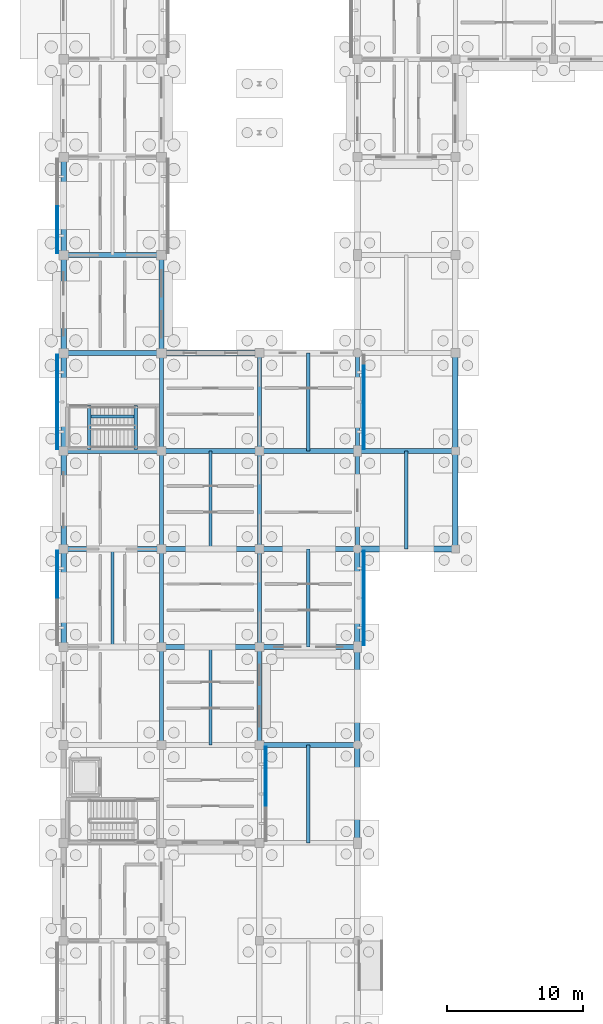
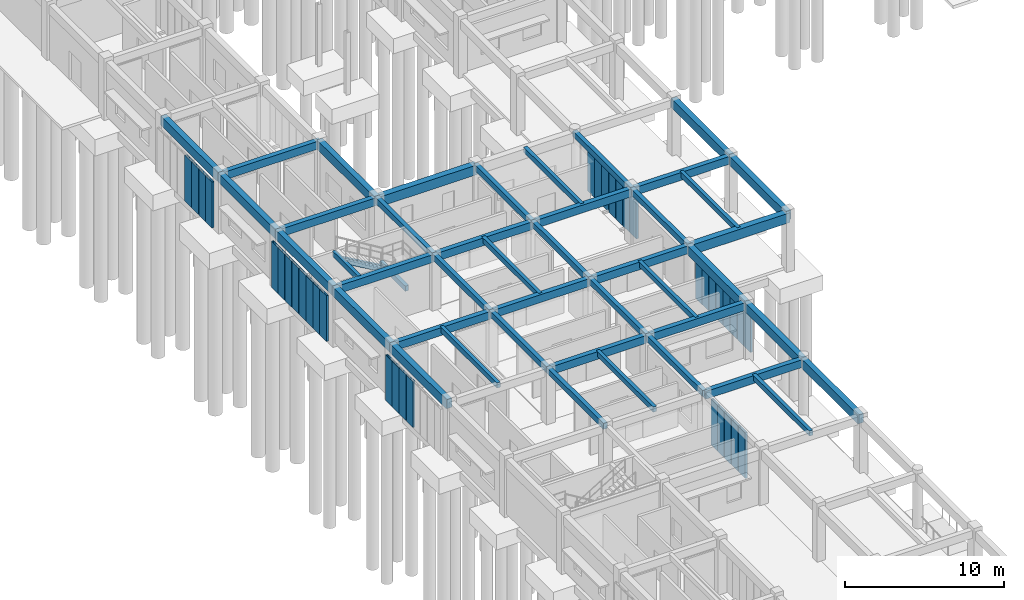
# One storey, part 14 of 111: 45 beams, 36 members, 6 elements without a shape of their own.
"""IFC4 building model written with IfcOpenShell, lengths in metres."""

from ifc_helpers import new_model, si_unit, direction, frame, origin, origin_2d, place, context, subcontext, project, spatial, rectangle, hollow_rectangle, extrude, material, material_profile, profile_set, type_object, element, aggregate, save


model = new_model("IFC4")

# Units and contexts
model_context = context("Model", 3, precision=1e-05, world=origin(), true_north=direction((0.0, 1.0)))
body_context = subcontext(model_context, "Body", "Model", "MODEL_VIEW")
ifc_project = project(units=[si_unit("LENGTHUNIT", "METRE"), si_unit("AREAUNIT", "SQUARE_METRE"), si_unit("VOLUMEUNIT", "CUBIC_METRE"), si_unit("PLANEANGLEUNIT", "RADIAN"), si_unit("MASSUNIT", "GRAM", prefix="KILO")], contexts=[model_context])

# Site, building, storey
site_placement = place(None, origin())
site = spatial("IfcSite", under=ifc_project, at=site_placement, CompositionType="ELEMENT")
building_placement = place(site_placement, origin())
building = spatial("IfcBuilding", under=site, at=building_placement, Name="Aldebral Square Health Centre", CompositionType="ELEMENT")
storey_placement = place(building_placement, origin())
storey = spatial("IfcBuildingStorey", under=building, at=storey_placement, Name="L00", CompositionType="ELEMENT", Elevation=0.0)

# Beams
ifc_material_1 = material(Name="Concrete C40/50", Category="concrete")
ifc_material_profile_1 = material_profile(ifc_material_1, rectangle(XDim=0.35009765625, YDim=0.60009765625, at=origin_2d()), Name="RC 350x600")
ifc_profile_set_1 = profile_set([ifc_material_profile_1], Name="Concrete C40/50")
beam_type_1 = type_object("IfcBeamType", Name="BM-B2", PredefinedType="BEAM", material=ifc_profile_set_1)
for number, where, z_axis, x_axis, name in (
    (1, (0.0, 50.39990234375, 3.919921875), (1.0, 0.0, 0.0), (0.0, 1.0, 0.0), "L00 X-beam 1-2/G8"),
    (2, (0.0, 57.60009765625, 3.919921875), (1.0, 0.0, 0.0), (0.0, 1.0, 0.0), "L00 X-beam 1-2/G9"),
    (3, (0.0, 64.800048828125, 3.919921875), (1.0, 0.0, 0.0), (0.0, 1.0, 0.0), "L00 X-beam 1-2/G10"),
    (4, (0.0, 72.0, 3.919921875), (1.0, 0.0, 0.0), (0.0, 1.0, 0.0), "L00 X-beam 1-2/G11"),
    (5, (7.199951171875, 43.199951171875, 3.919921875), (1.0, 0.0, 0.0), (0.0, 1.0, 0.0), "L00 X-beam 2-3/G7"),
    (6, (7.199951171875, 50.39990234375, 3.919921875), (1.0, 0.0, 0.0), (0.0, 1.0, 0.0), "L00 X-beam 2-3/G8"),
    (7, (7.199951171875, 57.60009765625, 3.919921875), (1.0, 0.0, 0.0), (0.0, 1.0, 0.0), "L00 X-beam 2-3/G9"),
):
    element("IfcBeam", number, at=place(storey_placement, frame(where, z_axis=z_axis, x_axis=x_axis)), inside=storey, type_object=beam_type_1, Name=name, PredefinedType="BEAM", context=body_context, shape_type="SweptSolid", body=[
        extrude(rectangle(XDim=0.35009765625, YDim=0.60009765625, at=origin_2d()), origin(), (0.0, 0.0, 1.0), 7.199951171875),
    ])
for number, where, z_axis, x_axis, name in (
    (8, (14.39990234375, 36.0, 3.919921875), (1.0, 0.0, 0.0), (0.0, 1.0, 0.0), "L00 X-beam 3-4/G6"),
    (9, (14.39990234375, 43.199951171875, 3.919921875), (1.0, 0.0, 0.0), (0.0, 1.0, 0.0), "L00 X-beam 3-4/G7"),
    (10, (14.39990234375, 50.39990234375, 3.919921875), (1.0, 0.0, 0.0), (0.0, 1.0, 0.0), "L00 X-beam 3-4/G8"),
    (11, (14.39990234375, 57.60009765625, 3.919921875), (1.0, 0.0, 0.0), (0.0, 1.0, 0.0), "L00 X-beam 3-4/G9"),
):
    element("IfcBeam", number, at=place(storey_placement, frame(where, z_axis=z_axis, x_axis=x_axis)), inside=storey, type_object=beam_type_1, Name=name, PredefinedType="BEAM", context=body_context, shape_type="SweptSolid", body=[
        extrude(rectangle(XDim=0.35009765625, YDim=0.60009765625, at=origin_2d()), origin(), (0.0, 0.0, 1.0), 7.2001953125),
    ])
beam_1_placement = place(storey_placement, frame((21.60009765625, 57.60009765625, 3.919921875), z_axis=(1.0, 0.0, 0.0), x_axis=(0.0, 1.0, 0.0)))
element("IfcBeam", 12, at=beam_1_placement, inside=storey, type_object=beam_type_1, Name="L00 X-beam 4-5/G9", PredefinedType="BEAM", context=body_context, shape_type="SweptSolid", body=[
    extrude(rectangle(XDim=0.35009765625, YDim=0.60009765625, at=origin_2d()), origin(), (0.0, 0.0, 1.0), 7.199951171875),
])
ifc_material_profile_2 = material_profile(ifc_material_1, rectangle(XDim=0.300048828125, YDim=0.449951171875, at=origin_2d()), Name="RC 300x450")
ifc_profile_set_2 = profile_set([ifc_material_profile_2], Name="Concrete C40/50")
beam_type_2 = type_object("IfcBeamType", Name="BM-B5", PredefinedType="BEAM", material=ifc_profile_set_2)
for number, where, z_axis, x_axis, name in (
    (13, (7.199951171875, 36.0, 3.9951171875), (0.0, 1.0, 0.0), (-1.0, 0.0, 0.0), "L00 Y-beam G2/6-7"),
    (14, (7.199951171875, 43.199951171875, 3.9951171875), (0.0, 1.0, 0.0), (-1.0, 0.0, 0.0), "L00 Y-beam G2/7-8"),
):
    element("IfcBeam", number, at=place(storey_placement, frame(where, z_axis=z_axis, x_axis=x_axis)), inside=storey, type_object=beam_type_2, Name=name, PredefinedType="BEAM", context=body_context, shape_type="SweptSolid", body=[
        extrude(rectangle(XDim=0.300048828125, YDim=0.449951171875, at=origin_2d()), origin(), (0.0, 0.0, 1.0), 7.199951171875),
    ])
beam_2_placement = place(storey_placement, frame((7.199951171875, 50.39990234375, 3.9951171875), z_axis=(0.0, 1.0, 0.0), x_axis=(-1.0, 0.0, 0.0)))
element("IfcBeam", 15, at=beam_2_placement, inside=storey, type_object=beam_type_2, Name="L00 Y-beam G2/8-9", PredefinedType="BEAM", context=body_context, shape_type="SweptSolid", body=[
    extrude(rectangle(XDim=0.300048828125, YDim=0.449951171875, at=origin_2d()), origin(), (0.0, 0.0, 1.0), 7.2001953125),
])
for number, where, z_axis, x_axis, name in (
    (16, (7.199951171875, 57.60009765625, 3.9951171875), (0.0, 1.0, 0.0), (-1.0, 0.0, 0.0), "L00 Y-beam G2/9-10"),
    (17, (14.39990234375, 36.0, 3.9951171875), (0.0, 1.0, 0.0), (-1.0, 0.0, 0.0), "L00 Y-beam G3/6-7"),
    (18, (14.39990234375, 43.199951171875, 3.9951171875), (0.0, 1.0, 0.0), (-1.0, 0.0, 0.0), "L00 Y-beam G3/7-8"),
):
    element("IfcBeam", number, at=place(storey_placement, frame(where, z_axis=z_axis, x_axis=x_axis)), inside=storey, type_object=beam_type_2, Name=name, PredefinedType="BEAM", context=body_context, shape_type="SweptSolid", body=[
        extrude(rectangle(XDim=0.300048828125, YDim=0.449951171875, at=origin_2d()), origin(), (0.0, 0.0, 1.0), 7.199951171875),
    ])
beam_3_placement = place(storey_placement, frame((14.39990234375, 50.39990234375, 3.9951171875), z_axis=(0.0, 1.0, 0.0), x_axis=(-1.0, 0.0, 0.0)))
element("IfcBeam", 19, at=beam_3_placement, inside=storey, type_object=beam_type_2, Name="L00 Y-beam G3/8-9", PredefinedType="BEAM", context=body_context, shape_type="SweptSolid", body=[
    extrude(rectangle(XDim=0.300048828125, YDim=0.449951171875, at=origin_2d()), origin(), (0.0, 0.0, 1.0), 7.2001953125),
])
beam_4_placement = place(storey_placement, frame((14.39990234375, 57.60009765625, 3.9951171875), z_axis=(0.0, 1.0, 0.0), x_axis=(-1.0, 0.0, 0.0)))
element("IfcBeam", 20, at=beam_4_placement, inside=storey, type_object=beam_type_2, Name="L00 Y-beam G3/9-10", PredefinedType="BEAM", context=body_context, shape_type="SweptSolid", body=[
    extrude(rectangle(XDim=0.300048828125, YDim=0.449951171875, at=origin_2d()), origin(), (0.0, 0.0, 1.0), 7.199951171875),
])
beam_5_placement = place(storey_placement, frame((21.60009765625, 50.39990234375, 3.9951171875), z_axis=(0.0, 1.0, 0.0), x_axis=(-1.0, 0.0, 0.0)))
element("IfcBeam", 21, at=beam_5_placement, inside=storey, type_object=beam_type_2, Name="L00 Y-beam G4/8-9", PredefinedType="BEAM", context=body_context, shape_type="SweptSolid", body=[
    extrude(rectangle(XDim=0.300048828125, YDim=0.449951171875, at=origin_2d()), origin(), (0.0, 0.0, 1.0), 7.2001953125),
])
beam_6_placement = place(storey_placement, frame((21.60009765625, 57.60009765625, 3.9951171875), z_axis=(0.0, 1.0, 0.0), x_axis=(-1.0, 0.0, 0.0)))
element("IfcBeam", 22, at=beam_6_placement, inside=storey, type_object=beam_type_2, Name="L00 Y-beam G4/9-10", PredefinedType="BEAM", context=body_context, shape_type="SweptSolid", body=[
    extrude(rectangle(XDim=0.300048828125, YDim=0.449951171875, at=origin_2d()), origin(), (0.0, 0.0, 1.0), 7.199951171875),
])
ifc_material_profile_3 = material_profile(ifc_material_1, rectangle(XDim=0.25, YDim=0.39990234375, at=origin_2d()), Name="RC 250x400")
ifc_profile_set_3 = profile_set([ifc_material_profile_3], Name="Concrete C40/50")
beam_type_3 = type_object("IfcBeamType", Name="BM-B6", PredefinedType="JOIST", material=ifc_profile_set_3)
for number, where, z_axis, x_axis, name in (
    (23, (3.60009765625, 43.199951171875, 4.02001953125), (0.0, 1.0, 0.0), (-1.0, 0.0, 0.0), "L00 secondary rib 1.7"),
    (24, (10.800048828125, 36.0, 4.02001953125), (0.0, 1.0, 0.0), (-1.0, 0.0, 0.0), "L00 secondary rib 2.6"),
):
    element("IfcBeam", number, at=place(storey_placement, frame(where, z_axis=z_axis, x_axis=x_axis)), inside=storey, type_object=beam_type_3, Name=name, PredefinedType="JOIST", context=body_context, shape_type="SweptSolid", body=[
        extrude(rectangle(XDim=0.25, YDim=0.39990234375, at=origin_2d()), origin(), (0.0, 0.0, 1.0), 7.199951171875),
    ])
beam_7_placement = place(storey_placement, frame((10.800048828125, 50.39990234375, 4.02001953125), z_axis=(0.0, 1.0, 0.0), x_axis=(-1.0, 0.0, 0.0)))
element("IfcBeam", 25, at=beam_7_placement, inside=storey, type_object=beam_type_3, Name="L00 secondary rib 2.8", PredefinedType="JOIST", context=body_context, shape_type="SweptSolid", body=[
    extrude(rectangle(XDim=0.25, YDim=0.39990234375, at=origin_2d()), origin(), (0.0, 0.0, 1.0), 7.2001953125),
])
for number, where, z_axis, x_axis, name in (
    (26, (18.0, 28.800048828125, 4.02001953125), (0.0, 1.0, 0.0), (-1.0, 0.0, 0.0), "L00 secondary rib 3.5"),
    (27, (18.0, 43.199951171875, 4.02001953125), (0.0, 1.0, 0.0), (-1.0, 0.0, 0.0), "L00 secondary rib 3.7"),
    (28, (18.0, 57.60009765625, 4.02001953125), (0.0, 1.0, 0.0), (-1.0, 0.0, 0.0), "L00 secondary rib 3.9"),
):
    element("IfcBeam", number, at=place(storey_placement, frame(where, z_axis=z_axis, x_axis=x_axis)), inside=storey, type_object=beam_type_3, Name=name, PredefinedType="JOIST", context=body_context, shape_type="SweptSolid", body=[
        extrude(rectangle(XDim=0.25, YDim=0.39990234375, at=origin_2d()), origin(), (0.0, 0.0, 1.0), 7.199951171875),
    ])
beam_8_placement = place(storey_placement, frame((25.199951171875, 50.39990234375, 4.02001953125), z_axis=(0.0, 1.0, 0.0), x_axis=(-1.0, 0.0, 0.0)))
element("IfcBeam", 29, at=beam_8_placement, inside=storey, type_object=beam_type_3, Name="L00 secondary rib 4.8", PredefinedType="JOIST", context=body_context, shape_type="SweptSolid", body=[
    extrude(rectangle(XDim=0.25, YDim=0.39990234375, at=origin_2d()), origin(), (0.0, 0.0, 1.0), 7.2001953125),
])
for number, where, z_axis, x_axis, name in (
    (30, (5.320068359375, 57.72998046875, 2.050048828125), (0.0, 1.0, 0.0), (-1.0, 0.0, 0.0), "L00 WS-S11 half-landing beam"),
    (31, (1.8798828125, 57.72998046875, 4.02001953125), (0.0, 1.0, 0.0), (-1.0, 0.0, 0.0), "L00 WS-S11 upper landing beam"),
):
    element("IfcBeam", number, at=place(storey_placement, frame(where, z_axis=z_axis, x_axis=x_axis)), inside=storey, type_object=beam_type_3, Name=name, PredefinedType="JOIST", context=body_context, shape_type="SweptSolid", body=[
        extrude(rectangle(XDim=0.25, YDim=0.39990234375, at=origin_2d()), origin(), (0.0, 0.0, 1.0), 3.219970703125),
    ])
beam_9_placement = place(storey_placement, frame((5.320068359375, 60.139892578125, 2.050048828125), z_axis=(-0.867791792995, 0.0, 0.496927966622), x_axis=(0.0, -1.0, 0.0)))
element("IfcBeam", 32, at=beam_9_placement, inside=storey, type_object=beam_type_3, Name="L00 WS-S11 flight stringer beam", PredefinedType="JOIST", context=body_context, shape_type="SweptSolid", body=[
    extrude(rectangle(XDim=0.25, YDim=0.39990234375, at=origin_2d()), origin(), (0.0, 0.0, 1.0), 3.96435546875),
])
ifc_material_profile_4 = material_profile(ifc_material_1, rectangle(XDim=0.449951171875, YDim=0.75, at=origin_2d()), Name="RC 450x750")
ifc_profile_set_4 = profile_set([ifc_material_profile_4], Name="Concrete C40/50")
beam_type_4 = type_object("IfcBeamType", Name="BM-G2", PredefinedType="T_BEAM", material=ifc_profile_set_4)
for number, where, z_axis, x_axis, name in (
    (33, (7.199951171875, 64.800048828125, 3.844970703125), (1.0, 0.0, 0.0), (0.0, 1.0, 0.0), "L00 X-beam 2-3/G10"),
    (34, (21.60009765625, 50.39990234375, 3.844970703125), (1.0, 0.0, 0.0), (0.0, 1.0, 0.0), "L00 X-beam 4-5/G8"),
):
    element("IfcBeam", number, at=place(storey_placement, frame(where, z_axis=z_axis, x_axis=x_axis)), inside=storey, type_object=beam_type_4, Name=name, PredefinedType="T_BEAM", context=body_context, shape_type="SweptSolid", body=[
        extrude(rectangle(XDim=0.449951171875, YDim=0.75, at=origin_2d()), origin(), (0.0, 0.0, 1.0), 7.199951171875),
    ])
ifc_material_profile_5 = material_profile(ifc_material_1, rectangle(XDim=0.39990234375, YDim=0.699951171875, at=origin_2d()), Name="RC 400x700")
ifc_profile_set_5 = profile_set([ifc_material_profile_5], Name="Concrete C40/50")
beam_type_5 = type_object("IfcBeamType", Name="BM-G3", PredefinedType="T_BEAM", material=ifc_profile_set_5)
beam_10_placement = place(storey_placement, frame((0.0, 43.199951171875, 3.8701171875), z_axis=(0.0, 1.0, 0.0), x_axis=(-1.0, 0.0, 0.0)))
element("IfcBeam", 35, at=beam_10_placement, inside=storey, type_object=beam_type_5, Name="L00 Y-beam G1/7-8", PredefinedType="T_BEAM", context=body_context, shape_type="SweptSolid", body=[
    extrude(rectangle(XDim=0.39990234375, YDim=0.699951171875, at=origin_2d()), origin(), (0.0, 0.0, 1.0), 7.199951171875),
])
beam_11_placement = place(storey_placement, frame((0.0, 50.39990234375, 3.8701171875), z_axis=(0.0, 1.0, 0.0), x_axis=(-1.0, 0.0, 0.0)))
element("IfcBeam", 36, at=beam_11_placement, inside=storey, type_object=beam_type_5, Name="L00 Y-beam G1/8-9", PredefinedType="T_BEAM", context=body_context, shape_type="SweptSolid", body=[
    extrude(rectangle(XDim=0.39990234375, YDim=0.699951171875, at=origin_2d()), origin(), (0.0, 0.0, 1.0), 7.2001953125),
])
for number, where, z_axis, x_axis, name in (
    (37, (0.0, 57.60009765625, 3.8701171875), (0.0, 1.0, 0.0), (-1.0, 0.0, 0.0), "L00 Y-beam G1/9-10"),
    (38, (0.0, 64.800048828125, 3.8701171875), (0.0, 1.0, 0.0), (-1.0, 0.0, 0.0), "L00 Y-beam G1/10-11"),
    (39, (0.0, 72.0, 3.8701171875), (0.0, 1.0, 0.0), (-1.0, 0.0, 0.0), "L00 Y-beam G1/11-12"),
    (40, (7.199951171875, 64.800048828125, 3.8701171875), (0.0, 1.0, 0.0), (-1.0, 0.0, 0.0), "L00 Y-beam G2/10-11"),
    (41, (21.60009765625, 28.800048828125, 3.8701171875), (0.0, 1.0, 0.0), (-1.0, 0.0, 0.0), "L00 Y-beam G4/5-6"),
    (42, (21.60009765625, 36.0, 3.8701171875), (0.0, 1.0, 0.0), (-1.0, 0.0, 0.0), "L00 Y-beam G4/6-7"),
    (43, (21.60009765625, 43.199951171875, 3.8701171875), (0.0, 1.0, 0.0), (-1.0, 0.0, 0.0), "L00 Y-beam G4/7-8"),
):
    element("IfcBeam", number, at=place(storey_placement, frame(where, z_axis=z_axis, x_axis=x_axis)), inside=storey, type_object=beam_type_5, Name=name, PredefinedType="T_BEAM", context=body_context, shape_type="SweptSolid", body=[
        extrude(rectangle(XDim=0.39990234375, YDim=0.699951171875, at=origin_2d()), origin(), (0.0, 0.0, 1.0), 7.199951171875),
    ])
beam_12_placement = place(storey_placement, frame((28.800048828125, 50.39990234375, 3.8701171875), z_axis=(0.0, 1.0, 0.0), x_axis=(-1.0, 0.0, 0.0)))
element("IfcBeam", 44, at=beam_12_placement, inside=storey, type_object=beam_type_5, Name="L00 Y-beam G5/8-9", PredefinedType="T_BEAM", context=body_context, shape_type="SweptSolid", body=[
    extrude(rectangle(XDim=0.39990234375, YDim=0.699951171875, at=origin_2d()), origin(), (0.0, 0.0, 1.0), 7.2001953125),
])
beam_13_placement = place(storey_placement, frame((28.800048828125, 57.60009765625, 3.8701171875), z_axis=(0.0, 1.0, 0.0), x_axis=(-1.0, 0.0, 0.0)))
element("IfcBeam", 45, at=beam_13_placement, inside=storey, type_object=beam_type_5, Name="L00 Y-beam G5/9-10", PredefinedType="T_BEAM", context=body_context, shape_type="SweptSolid", body=[
    extrude(rectangle(XDim=0.39990234375, YDim=0.699951171875, at=origin_2d()), origin(), (0.0, 0.0, 1.0), 7.199951171875),
])

# Curtain wall, members
ifc_material_2 = material(Name="Aluminium and low-E solar glass", Category="aluminium")
curtain_wall_type = type_object("IfcCurtainWallType", Name="CW-FIN-SYS", PredefinedType="USERDEFINED", material=ifc_material_2)
curtain_wall_1_placement = place(storey_placement, origin())
curtain_wall_1 = element("IfcCurtainWall", 46, at=curtain_wall_1_placement, inside=storey, type_object=curtain_wall_type, Name="L00 V6 finned curtain wall L00-V6-00-06-W", ObjectType="SOLAR_CURTAIN_WALL", PredefinedType="USERDEFINED")
ifc_material_3 = material(Name="Sienna-terracotta clad aluminium fin", Category="masonry")
ifc_material_profile_6 = material_profile(ifc_material_3, hollow_rectangle(XDim=0.159912109375, YDim=0.85009765625, WallThickness=0.006103515625, at=origin_2d()), Name="FIN 160x850x6")
ifc_profile_set_6 = profile_set([ifc_material_profile_6], Name="Sienna-terracotta clad aluminium fin")
member_type = type_object("IfcMemberType", Name="CWM-FIN", PredefinedType="MULLION", material=ifc_profile_set_6)
member_1_placement = place(storey_placement, frame((-0.4599609375, 49.840087890625, 0.0), z_axis=(0.0, 0.0, 1.0), x_axis=(1.0, 0.0, 0.0)))
member_1 = element("IfcMember", 47, at=member_1_placement, type_object=member_type, Name="CW1 mullion 1", PredefinedType="MULLION", context=body_context, shape_type="SweptSolid", body=[
    extrude(hollow_rectangle(XDim=0.159912109375, YDim=0.85009765625, WallThickness=0.006103515625, at=origin_2d()), origin(), (0.0, 0.0, 1.0), 3.52001953125),
])
member_2_placement = place(storey_placement, frame((-0.4599609375, 49.028564453125, 0.0), z_axis=(0.0, 0.0, 1.0), x_axis=(1.0, 0.0, 0.0)))
member_2 = element("IfcMember", 48, at=member_2_placement, type_object=member_type, Name="CW1 mullion 2", PredefinedType="MULLION", context=body_context, shape_type="SweptSolid", body=[
    extrude(hollow_rectangle(XDim=0.159912109375, YDim=0.85009765625, WallThickness=0.006103515625, at=origin_2d()), origin(), (0.0, 0.0, 1.0), 3.52001953125),
])
member_3_placement = place(storey_placement, frame((-0.4599609375, 48.13720703125, 0.0), z_axis=(0.0, 0.0, 1.0), x_axis=(1.0, 0.0, 0.0)))
member_3 = element("IfcMember", 49, at=member_3_placement, type_object=member_type, Name="CW1 mullion 3", PredefinedType="MULLION", context=body_context, shape_type="SweptSolid", body=[
    extrude(hollow_rectangle(XDim=0.159912109375, YDim=0.85009765625, WallThickness=0.006103515625, at=origin_2d()), origin(), (0.0, 0.0, 1.0), 3.52001953125),
])
member_4_placement = place(storey_placement, frame((-0.4599609375, 47.24560546875, 0.0), z_axis=(0.0, 0.0, 1.0), x_axis=(1.0, 0.0, 0.0)))
member_4 = element("IfcMember", 50, at=member_4_placement, type_object=member_type, Name="CW1 mullion 4", PredefinedType="MULLION", context=body_context, shape_type="SweptSolid", body=[
    extrude(hollow_rectangle(XDim=0.159912109375, YDim=0.85009765625, WallThickness=0.006103515625, at=origin_2d()), origin(), (0.0, 0.0, 1.0), 3.52001953125),
])
aggregate(curtain_wall_1, [member_1, member_2, member_3, member_4])

curtain_wall_2_placement = place(storey_placement, origin())
curtain_wall_2 = element("IfcCurtainWall", 51, at=curtain_wall_2_placement, inside=storey, type_object=curtain_wall_type, Name="L00 V4 finned curtain wall L00-V4-00-08-W", ObjectType="SOLAR_CURTAIN_WALL", PredefinedType="USERDEFINED")
member_5_placement = place(storey_placement, frame((-0.4599609375, 64.239990234375, 0.0), z_axis=(0.0, 0.0, 1.0), x_axis=(1.0, 0.0, 0.0)))
member_5 = element("IfcMember", 52, at=member_5_placement, type_object=member_type, Name="CW1 mullion 1", PredefinedType="MULLION", context=body_context, shape_type="SweptSolid", body=[
    extrude(hollow_rectangle(XDim=0.159912109375, YDim=0.85009765625, WallThickness=0.006103515625, at=origin_2d()), origin(), (0.0, 0.0, 1.0), 3.52001953125),
])
member_6_placement = place(storey_placement, frame((-0.4599609375, 63.428466796875, 0.0), z_axis=(0.0, 0.0, 1.0), x_axis=(1.0, 0.0, 0.0)))
member_6 = element("IfcMember", 53, at=member_6_placement, type_object=member_type, Name="CW1 mullion 2", PredefinedType="MULLION", context=body_context, shape_type="SweptSolid", body=[
    extrude(hollow_rectangle(XDim=0.159912109375, YDim=0.85009765625, WallThickness=0.006103515625, at=origin_2d()), origin(), (0.0, 0.0, 1.0), 3.52001953125),
])
member_7_placement = place(storey_placement, frame((-0.4599609375, 62.537109375, 0.0), z_axis=(0.0, 0.0, 1.0), x_axis=(1.0, 0.0, 0.0)))
member_7 = element("IfcMember", 54, at=member_7_placement, type_object=member_type, Name="CW1 mullion 3", PredefinedType="MULLION", context=body_context, shape_type="SweptSolid", body=[
    extrude(hollow_rectangle(XDim=0.159912109375, YDim=0.85009765625, WallThickness=0.006103515625, at=origin_2d()), origin(), (0.0, 0.0, 1.0), 3.52001953125),
])
member_8_placement = place(storey_placement, frame((-0.4599609375, 61.645751953125, 0.0), z_axis=(0.0, 0.0, 1.0), x_axis=(1.0, 0.0, 0.0)))
member_8 = element("IfcMember", 55, at=member_8_placement, type_object=member_type, Name="CW1 mullion 4", PredefinedType="MULLION", context=body_context, shape_type="SweptSolid", body=[
    extrude(hollow_rectangle(XDim=0.159912109375, YDim=0.85009765625, WallThickness=0.006103515625, at=origin_2d()), origin(), (0.0, 0.0, 1.0), 3.52001953125),
])
member_9_placement = place(storey_placement, frame((-0.4599609375, 60.75439453125, 0.0), z_axis=(0.0, 0.0, 1.0), x_axis=(1.0, 0.0, 0.0)))
member_9 = element("IfcMember", 56, at=member_9_placement, type_object=member_type, Name="CW1 mullion 5", PredefinedType="MULLION", context=body_context, shape_type="SweptSolid", body=[
    extrude(hollow_rectangle(XDim=0.159912109375, YDim=0.85009765625, WallThickness=0.006103515625, at=origin_2d()), origin(), (0.0, 0.0, 1.0), 3.52001953125),
])
member_10_placement = place(storey_placement, frame((-0.4599609375, 59.86279296875, 0.0), z_axis=(0.0, 0.0, 1.0), x_axis=(1.0, 0.0, 0.0)))
member_10 = element("IfcMember", 57, at=member_10_placement, type_object=member_type, Name="CW1 mullion 6", PredefinedType="MULLION", context=body_context, shape_type="SweptSolid", body=[
    extrude(hollow_rectangle(XDim=0.159912109375, YDim=0.85009765625, WallThickness=0.006103515625, at=origin_2d()), origin(), (0.0, 0.0, 1.0), 3.52001953125),
])
member_11_placement = place(storey_placement, frame((-0.4599609375, 58.971435546875, 0.0), z_axis=(0.0, 0.0, 1.0), x_axis=(1.0, 0.0, 0.0)))
member_11 = element("IfcMember", 58, at=member_11_placement, type_object=member_type, Name="CW1 mullion 7", PredefinedType="MULLION", context=body_context, shape_type="SweptSolid", body=[
    extrude(hollow_rectangle(XDim=0.159912109375, YDim=0.85009765625, WallThickness=0.006103515625, at=origin_2d()), origin(), (0.0, 0.0, 1.0), 3.52001953125),
])
member_12_placement = place(storey_placement, frame((-0.4599609375, 58.159912109375, 0.0), z_axis=(0.0, 0.0, 1.0), x_axis=(1.0, 0.0, 0.0)))
member_12 = element("IfcMember", 59, at=member_12_placement, type_object=member_type, Name="CW1 mullion 8", PredefinedType="MULLION", context=body_context, shape_type="SweptSolid", body=[
    extrude(hollow_rectangle(XDim=0.159912109375, YDim=0.85009765625, WallThickness=0.006103515625, at=origin_2d()), origin(), (0.0, 0.0, 1.0), 3.52001953125),
])
aggregate(curtain_wall_2, [member_5, member_6, member_7, member_8, member_9, member_10, member_11, member_12])

curtain_wall_3_placement = place(storey_placement, origin())
curtain_wall_3 = element("IfcCurtainWall", 60, at=curtain_wall_3_placement, inside=storey, type_object=curtain_wall_type, Name="L00 V4 finned curtain wall L00-V4-00-10-W", ObjectType="SOLAR_CURTAIN_WALL", PredefinedType="USERDEFINED")
member_13_placement = place(storey_placement, frame((-0.4599609375, 75.154296875, 0.0), z_axis=(0.0, 0.0, 1.0), x_axis=(1.0, 0.0, 0.0)))
member_13 = element("IfcMember", 61, at=member_13_placement, type_object=member_type, Name="CW1 mullion 5", PredefinedType="MULLION", context=body_context, shape_type="SweptSolid", body=[
    extrude(hollow_rectangle(XDim=0.159912109375, YDim=0.85009765625, WallThickness=0.006103515625, at=origin_2d()), origin(), (0.0, 0.0, 1.0), 3.52001953125),
])
member_14_placement = place(storey_placement, frame((-0.4599609375, 74.262939453125, 0.0), z_axis=(0.0, 0.0, 1.0), x_axis=(1.0, 0.0, 0.0)))
member_14 = element("IfcMember", 62, at=member_14_placement, type_object=member_type, Name="CW1 mullion 6", PredefinedType="MULLION", context=body_context, shape_type="SweptSolid", body=[
    extrude(hollow_rectangle(XDim=0.159912109375, YDim=0.85009765625, WallThickness=0.006103515625, at=origin_2d()), origin(), (0.0, 0.0, 1.0), 3.52001953125),
])
member_15_placement = place(storey_placement, frame((-0.4599609375, 73.371337890625, 0.0), z_axis=(0.0, 0.0, 1.0), x_axis=(1.0, 0.0, 0.0)))
member_15 = element("IfcMember", 63, at=member_15_placement, type_object=member_type, Name="CW1 mullion 7", PredefinedType="MULLION", context=body_context, shape_type="SweptSolid", body=[
    extrude(hollow_rectangle(XDim=0.159912109375, YDim=0.85009765625, WallThickness=0.006103515625, at=origin_2d()), origin(), (0.0, 0.0, 1.0), 3.52001953125),
])
member_16_placement = place(storey_placement, frame((-0.4599609375, 72.56005859375, 0.0), z_axis=(0.0, 0.0, 1.0), x_axis=(1.0, 0.0, 0.0)))
member_16 = element("IfcMember", 64, at=member_16_placement, type_object=member_type, Name="CW1 mullion 8", PredefinedType="MULLION", context=body_context, shape_type="SweptSolid", body=[
    extrude(hollow_rectangle(XDim=0.159912109375, YDim=0.85009765625, WallThickness=0.006103515625, at=origin_2d()), origin(), (0.0, 0.0, 1.0), 3.52001953125),
])
aggregate(curtain_wall_3, [member_13, member_14, member_15, member_16])

curtain_wall_4_placement = place(storey_placement, origin())
curtain_wall_4 = element("IfcCurtainWall", 65, at=curtain_wall_4_placement, inside=storey, type_object=curtain_wall_type, Name="L00 V6 finned curtain wall L00-V6-01-04-E", ObjectType="SOLAR_CURTAIN_WALL", PredefinedType="USERDEFINED")
member_17_placement = place(storey_placement, frame((14.860107421875, 31.954345703125, 0.0), z_axis=(0.0, 0.0, 1.0), x_axis=(-1.0, 0.0, 0.0)))
member_17 = element("IfcMember", 66, at=member_17_placement, type_object=member_type, Name="CW1 mullion 4", PredefinedType="MULLION", context=body_context, shape_type="SweptSolid", body=[
    extrude(hollow_rectangle(XDim=0.159912109375, YDim=0.85009765625, WallThickness=0.006103515625, at=origin_2d()), origin(), (0.0, 0.0, 1.0), 3.52001953125),
])
member_18_placement = place(storey_placement, frame((14.860107421875, 32.845703125, 0.0), z_axis=(0.0, 0.0, 1.0), x_axis=(-1.0, 0.0, 0.0)))
member_18 = element("IfcMember", 67, at=member_18_placement, type_object=member_type, Name="CW1 mullion 5", PredefinedType="MULLION", context=body_context, shape_type="SweptSolid", body=[
    extrude(hollow_rectangle(XDim=0.159912109375, YDim=0.85009765625, WallThickness=0.006103515625, at=origin_2d()), origin(), (0.0, 0.0, 1.0), 3.52001953125),
])
member_19_placement = place(storey_placement, frame((14.860107421875, 33.737060546875, 0.0), z_axis=(0.0, 0.0, 1.0), x_axis=(-1.0, 0.0, 0.0)))
member_19 = element("IfcMember", 68, at=member_19_placement, type_object=member_type, Name="CW1 mullion 6", PredefinedType="MULLION", context=body_context, shape_type="SweptSolid", body=[
    extrude(hollow_rectangle(XDim=0.159912109375, YDim=0.85009765625, WallThickness=0.006103515625, at=origin_2d()), origin(), (0.0, 0.0, 1.0), 3.52001953125),
])
member_20_placement = place(storey_placement, frame((14.860107421875, 34.628662109375, 0.0), z_axis=(0.0, 0.0, 1.0), x_axis=(-1.0, 0.0, 0.0)))
member_20 = element("IfcMember", 69, at=member_20_placement, type_object=member_type, Name="CW1 mullion 7", PredefinedType="MULLION", context=body_context, shape_type="SweptSolid", body=[
    extrude(hollow_rectangle(XDim=0.159912109375, YDim=0.85009765625, WallThickness=0.006103515625, at=origin_2d()), origin(), (0.0, 0.0, 1.0), 3.52001953125),
])
member_21_placement = place(storey_placement, frame((14.860107421875, 35.43994140625, 0.0), z_axis=(0.0, 0.0, 1.0), x_axis=(-1.0, 0.0, 0.0)))
member_21 = element("IfcMember", 70, at=member_21_placement, type_object=member_type, Name="CW1 mullion 8", PredefinedType="MULLION", context=body_context, shape_type="SweptSolid", body=[
    extrude(hollow_rectangle(XDim=0.159912109375, YDim=0.85009765625, WallThickness=0.006103515625, at=origin_2d()), origin(), (0.0, 0.0, 1.0), 3.52001953125),
])
aggregate(curtain_wall_4, [member_17, member_18, member_19, member_20, member_21])

curtain_wall_5_placement = place(storey_placement, origin())
curtain_wall_5 = element("IfcCurtainWall", 71, at=curtain_wall_5_placement, inside=storey, type_object=curtain_wall_type, Name="L00 V6 finned curtain wall L00-V6-02-06-E", ObjectType="SOLAR_CURTAIN_WALL", PredefinedType="USERDEFINED")
member_22_placement = place(storey_placement, frame((22.06005859375, 43.760009765625, 0.0), z_axis=(0.0, 0.0, 1.0), x_axis=(-1.0, 0.0, 0.0)))
member_22 = element("IfcMember", 72, at=member_22_placement, type_object=member_type, Name="CW1 mullion 1", PredefinedType="MULLION", context=body_context, shape_type="SweptSolid", body=[
    extrude(hollow_rectangle(XDim=0.159912109375, YDim=0.85009765625, WallThickness=0.006103515625, at=origin_2d()), origin(), (0.0, 0.0, 1.0), 3.52001953125),
])
member_23_placement = place(storey_placement, frame((22.06005859375, 44.571533203125, 0.0), z_axis=(0.0, 0.0, 1.0), x_axis=(-1.0, 0.0, 0.0)))
member_23 = element("IfcMember", 73, at=member_23_placement, type_object=member_type, Name="CW1 mullion 2", PredefinedType="MULLION", context=body_context, shape_type="SweptSolid", body=[
    extrude(hollow_rectangle(XDim=0.159912109375, YDim=0.85009765625, WallThickness=0.006103515625, at=origin_2d()), origin(), (0.0, 0.0, 1.0), 3.52001953125),
])
member_24_placement = place(storey_placement, frame((22.06005859375, 45.462890625, 0.0), z_axis=(0.0, 0.0, 1.0), x_axis=(-1.0, 0.0, 0.0)))
member_24 = element("IfcMember", 74, at=member_24_placement, type_object=member_type, Name="CW1 mullion 3", PredefinedType="MULLION", context=body_context, shape_type="SweptSolid", body=[
    extrude(hollow_rectangle(XDim=0.159912109375, YDim=0.85009765625, WallThickness=0.006103515625, at=origin_2d()), origin(), (0.0, 0.0, 1.0), 3.52001953125),
])
member_25_placement = place(storey_placement, frame((22.06005859375, 46.354248046875, 0.0), z_axis=(0.0, 0.0, 1.0), x_axis=(-1.0, 0.0, 0.0)))
member_25 = element("IfcMember", 75, at=member_25_placement, type_object=member_type, Name="CW1 mullion 4", PredefinedType="MULLION", context=body_context, shape_type="SweptSolid", body=[
    extrude(hollow_rectangle(XDim=0.159912109375, YDim=0.85009765625, WallThickness=0.006103515625, at=origin_2d()), origin(), (0.0, 0.0, 1.0), 3.52001953125),
])
member_26_placement = place(storey_placement, frame((22.06005859375, 47.24560546875, 0.0), z_axis=(0.0, 0.0, 1.0), x_axis=(-1.0, 0.0, 0.0)))
member_26 = element("IfcMember", 76, at=member_26_placement, type_object=member_type, Name="CW1 mullion 5", PredefinedType="MULLION", context=body_context, shape_type="SweptSolid", body=[
    extrude(hollow_rectangle(XDim=0.159912109375, YDim=0.85009765625, WallThickness=0.006103515625, at=origin_2d()), origin(), (0.0, 0.0, 1.0), 3.52001953125),
])
member_27_placement = place(storey_placement, frame((22.06005859375, 48.13720703125, 0.0), z_axis=(0.0, 0.0, 1.0), x_axis=(-1.0, 0.0, 0.0)))
member_27 = element("IfcMember", 77, at=member_27_placement, type_object=member_type, Name="CW1 mullion 6", PredefinedType="MULLION", context=body_context, shape_type="SweptSolid", body=[
    extrude(hollow_rectangle(XDim=0.159912109375, YDim=0.85009765625, WallThickness=0.006103515625, at=origin_2d()), origin(), (0.0, 0.0, 1.0), 3.52001953125),
])
member_28_placement = place(storey_placement, frame((22.06005859375, 49.028564453125, 0.0), z_axis=(0.0, 0.0, 1.0), x_axis=(-1.0, 0.0, 0.0)))
member_28 = element("IfcMember", 78, at=member_28_placement, type_object=member_type, Name="CW1 mullion 7", PredefinedType="MULLION", context=body_context, shape_type="SweptSolid", body=[
    extrude(hollow_rectangle(XDim=0.159912109375, YDim=0.85009765625, WallThickness=0.006103515625, at=origin_2d()), origin(), (0.0, 0.0, 1.0), 3.52001953125),
])
member_29_placement = place(storey_placement, frame((22.06005859375, 49.840087890625, 0.0), z_axis=(0.0, 0.0, 1.0), x_axis=(-1.0, 0.0, 0.0)))
member_29 = element("IfcMember", 79, at=member_29_placement, type_object=member_type, Name="CW1 mullion 8", PredefinedType="MULLION", context=body_context, shape_type="SweptSolid", body=[
    extrude(hollow_rectangle(XDim=0.159912109375, YDim=0.85009765625, WallThickness=0.006103515625, at=origin_2d()), origin(), (0.0, 0.0, 1.0), 3.52001953125),
])
aggregate(curtain_wall_5, [member_22, member_23, member_24, member_25, member_26, member_27, member_28, member_29])

curtain_wall_6_placement = place(storey_placement, origin())
curtain_wall_6 = element("IfcCurtainWall", 80, at=curtain_wall_6_placement, inside=storey, type_object=curtain_wall_type, Name="L00 V4 finned curtain wall L00-V4-02-08-E", ObjectType="SOLAR_CURTAIN_WALL", PredefinedType="USERDEFINED")
member_30_placement = place(storey_placement, frame((22.06005859375, 58.159912109375, 0.0), z_axis=(0.0, 0.0, 1.0), x_axis=(-1.0, 0.0, 0.0)))
member_30 = element("IfcMember", 81, at=member_30_placement, type_object=member_type, Name="CW1 mullion 1", PredefinedType="MULLION", context=body_context, shape_type="SweptSolid", body=[
    extrude(hollow_rectangle(XDim=0.159912109375, YDim=0.85009765625, WallThickness=0.006103515625, at=origin_2d()), origin(), (0.0, 0.0, 1.0), 3.52001953125),
])
member_31_placement = place(storey_placement, frame((22.06005859375, 58.971435546875, 0.0), z_axis=(0.0, 0.0, 1.0), x_axis=(-1.0, 0.0, 0.0)))
member_31 = element("IfcMember", 82, at=member_31_placement, type_object=member_type, Name="CW1 mullion 2", PredefinedType="MULLION", context=body_context, shape_type="SweptSolid", body=[
    extrude(hollow_rectangle(XDim=0.159912109375, YDim=0.85009765625, WallThickness=0.006103515625, at=origin_2d()), origin(), (0.0, 0.0, 1.0), 3.52001953125),
])
member_32_placement = place(storey_placement, frame((22.06005859375, 59.86279296875, 0.0), z_axis=(0.0, 0.0, 1.0), x_axis=(-1.0, 0.0, 0.0)))
member_32 = element("IfcMember", 83, at=member_32_placement, type_object=member_type, Name="CW1 mullion 3", PredefinedType="MULLION", context=body_context, shape_type="SweptSolid", body=[
    extrude(hollow_rectangle(XDim=0.159912109375, YDim=0.85009765625, WallThickness=0.006103515625, at=origin_2d()), origin(), (0.0, 0.0, 1.0), 3.52001953125),
])
member_33_placement = place(storey_placement, frame((22.06005859375, 60.75439453125, 0.0), z_axis=(0.0, 0.0, 1.0), x_axis=(-1.0, 0.0, 0.0)))
member_33 = element("IfcMember", 84, at=member_33_placement, type_object=member_type, Name="CW1 mullion 4", PredefinedType="MULLION", context=body_context, shape_type="SweptSolid", body=[
    extrude(hollow_rectangle(XDim=0.159912109375, YDim=0.85009765625, WallThickness=0.006103515625, at=origin_2d()), origin(), (0.0, 0.0, 1.0), 3.52001953125),
])
member_34_placement = place(storey_placement, frame((22.06005859375, 61.645751953125, 0.0), z_axis=(0.0, 0.0, 1.0), x_axis=(-1.0, 0.0, 0.0)))
member_34 = element("IfcMember", 85, at=member_34_placement, type_object=member_type, Name="CW1 mullion 5", PredefinedType="MULLION", context=body_context, shape_type="SweptSolid", body=[
    extrude(hollow_rectangle(XDim=0.159912109375, YDim=0.85009765625, WallThickness=0.006103515625, at=origin_2d()), origin(), (0.0, 0.0, 1.0), 3.52001953125),
])
member_35_placement = place(storey_placement, frame((22.06005859375, 62.537109375, 0.0), z_axis=(0.0, 0.0, 1.0), x_axis=(-1.0, 0.0, 0.0)))
member_35 = element("IfcMember", 86, at=member_35_placement, type_object=member_type, Name="CW1 mullion 6", PredefinedType="MULLION", context=body_context, shape_type="SweptSolid", body=[
    extrude(hollow_rectangle(XDim=0.159912109375, YDim=0.85009765625, WallThickness=0.006103515625, at=origin_2d()), origin(), (0.0, 0.0, 1.0), 3.52001953125),
])
member_36_placement = place(storey_placement, frame((22.06005859375, 63.428466796875, 0.0), z_axis=(0.0, 0.0, 1.0), x_axis=(-1.0, 0.0, 0.0)))
member_36 = element("IfcMember", 87, at=member_36_placement, type_object=member_type, Name="CW1 mullion 7", PredefinedType="MULLION", context=body_context, shape_type="SweptSolid", body=[
    extrude(hollow_rectangle(XDim=0.159912109375, YDim=0.85009765625, WallThickness=0.006103515625, at=origin_2d()), origin(), (0.0, 0.0, 1.0), 3.52001953125),
])
aggregate(curtain_wall_6, [member_30, member_31, member_32, member_33, member_34, member_35, member_36])

save(model, "model.ifc")
